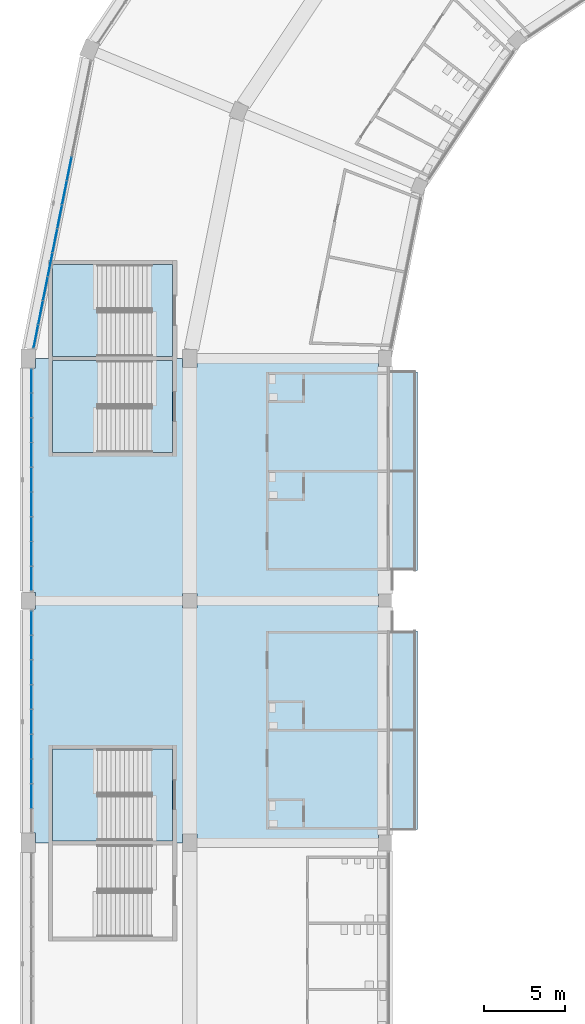
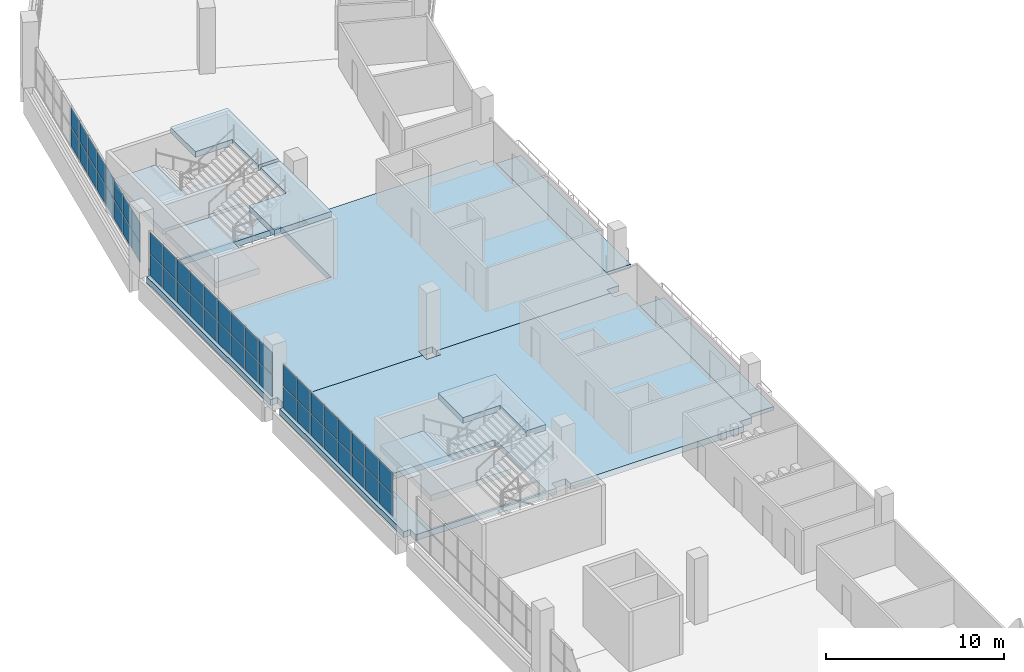
# One storey, part 66 of 199: 50 plates, 10 slabs, 6 elements without a shape of their own.
"""IFC4 building model written with IfcOpenShell, lengths in metres."""

from ifc_helpers import new_model, si_unit, direction, frame, origin, origin_2d, place, context, subcontext, project, spatial, polyline, rectangle, outline, extrude, material, layer, layer_set, type_object, element, aggregate, save


model = new_model("IFC4")

# Units and contexts
model_context = context("Model", 3, precision=1e-05, world=origin(), true_north=direction((0.0, 1.0)))
body_context = subcontext(model_context, "Body", "Model", "MODEL_VIEW")
ifc_project = project(units=[si_unit("LENGTHUNIT", "METRE"), si_unit("AREAUNIT", "SQUARE_METRE"), si_unit("VOLUMEUNIT", "CUBIC_METRE"), si_unit("PLANEANGLEUNIT", "RADIAN"), si_unit("MASSUNIT", "GRAM", prefix="KILO")], contexts=[model_context])

# Site, building, storey
site_placement = place(None, origin())
site = spatial("IfcSite", under=ifc_project, at=site_placement, CompositionType="ELEMENT")
building_placement = place(site_placement, origin())
building = spatial("IfcBuilding", under=site, at=building_placement, Name="Ogive Plaza Stadium", CompositionType="ELEMENT")
storey_placement = place(building_placement, frame((0.0, 0.0, 9.0)))
storey = spatial("IfcBuildingStorey", under=building, at=storey_placement, Name="L02", CompositionType="ELEMENT", Elevation=9.0)

# Slabs
ifc_material_1 = material(Name="Concrete C40/50", Category="concrete")
ifc_layer_1 = layer(ifc_material_1, 0.25)
ifc_layer_set_1 = layer_set([ifc_layer_1], Name="Concrete C40/50")
slab_type_1 = type_object("IfcSlabType", Name="Balcony slab 250", PredefinedType="FLOOR", material=ifc_layer_set_1)
slab_1_placement = place(storey_placement, frame((0.0, 0.0, -0.25)))
element("IfcSlab", 1, at=slab_1_placement, inside=storey, type_object=slab_type_1, Name="Suite terrace slab B26", PredefinedType="FLOOR", context=body_context, shape_type="SweptSolid", body=[
    extrude(outline(polyline([(-59.89990234375, 35.625), (-61.5, 35.625), (-61.5, 23.324951171875), (-59.89990234375, 23.324951171875), (-59.89990234375, 35.625)])), origin(), (0.0, 0.0, 1.0), 0.25),
])
slab_2_placement = place(storey_placement, frame((0.0, 0.0, -0.25)))
element("IfcSlab", 2, at=slab_2_placement, inside=storey, type_object=slab_type_1, Name="Suite terrace slab B27", PredefinedType="FLOOR", context=body_context, shape_type="SweptSolid", body=[
    extrude(outline(polyline([(-59.89990234375, 51.675048828125), (-61.5, 51.675048828125), (-61.5, 39.375), (-59.89990234375, 39.375), (-59.89990234375, 51.675048828125)])), origin(), (0.0, 0.0, 1.0), 0.25),
])

# Curtain wall, plates
ifc_material_2 = material(Name="Bronze-anodised aluminium with laminated glass", Category="aluminium")
curtain_wall_type = type_object("IfcCurtainWallType", Name="Lancet curtain wall", PredefinedType="NOTDEFINED", material=ifc_material_2)
curtain_wall_1_placement = place(storey_placement, origin())
curtain_wall_1 = element("IfcCurtainWall", 3, at=curtain_wall_1_placement, inside=storey, type_object=curtain_wall_type, Name="CURTAIN WALL B26 L02", PredefinedType="NOTDEFINED")
ifc_material_3 = material(Name="Laminated glass", Category="glass")
ifc_layer_2 = layer(ifc_material_3, 0.028076171875)
ifc_layer_set_2 = layer_set([ifc_layer_2], Name="Laminated glass panel 28")
plate_type = type_object("IfcPlateType", Name="Laminated glass panel 28", PredefinedType="CURTAIN_PANEL", material=ifc_layer_set_2)
plate_1_placement = place(storey_placement, frame((-83.800048828125, 25.39990234375, 0.0498046875), z_axis=(0.0, 0.0, 1.0), x_axis=(0.0, 1.0, 0.0)))
plate_1 = element("IfcPlate", 4, at=plate_1_placement, type_object=plate_type, Name="CW-B26-L02 panel 2.1", PredefinedType="CURTAIN_PANEL", context=body_context, shape_type="SweptSolid", body=[
    extrude(rectangle(XDim=1.4833984375, YDim=0.028076171875, at=origin_2d()), origin(), (0.0, 0.0, 1.0), 1.469970703125),
])
plate_2_placement = place(storey_placement, frame((-83.800048828125, 25.39990234375, 1.56982421875), z_axis=(0.0, 0.0, 1.0), x_axis=(0.0, 1.0, 0.0)))
plate_2 = element("IfcPlate", 5, at=plate_2_placement, type_object=plate_type, Name="CW-B26-L02 panel 2.2", PredefinedType="CURTAIN_PANEL", context=body_context, shape_type="SweptSolid", body=[
    extrude(rectangle(XDim=1.4833984375, YDim=0.028076171875, at=origin_2d()), origin(), (0.0, 0.0, 1.0), 1.469970703125),
])
plate_3_placement = place(storey_placement, frame((-83.800048828125, 26.933349609375, 0.0498046875), z_axis=(0.0, 0.0, 1.0), x_axis=(0.0, 1.0, 0.0)))
plate_3 = element("IfcPlate", 6, at=plate_3_placement, type_object=plate_type, Name="CW-B26-L02 panel 3.1", PredefinedType="CURTAIN_PANEL", context=body_context, shape_type="SweptSolid", body=[
    extrude(rectangle(XDim=1.4833984375, YDim=0.028076171875, at=origin_2d()), origin(), (0.0, 0.0, 1.0), 1.469970703125),
])
plate_4_placement = place(storey_placement, frame((-83.800048828125, 26.933349609375, 1.56982421875), z_axis=(0.0, 0.0, 1.0), x_axis=(0.0, 1.0, 0.0)))
plate_4 = element("IfcPlate", 7, at=plate_4_placement, type_object=plate_type, Name="CW-B26-L02 panel 3.2", PredefinedType="CURTAIN_PANEL", context=body_context, shape_type="SweptSolid", body=[
    extrude(rectangle(XDim=1.4833984375, YDim=0.028076171875, at=origin_2d()), origin(), (0.0, 0.0, 1.0), 1.469970703125),
])
plate_5_placement = place(storey_placement, frame((-83.800048828125, 28.466552734375, 0.0498046875), z_axis=(0.0, 0.0, 1.0), x_axis=(0.0, 1.0, 0.0)))
plate_5 = element("IfcPlate", 8, at=plate_5_placement, type_object=plate_type, Name="CW-B26-L02 panel 4.1", PredefinedType="CURTAIN_PANEL", context=body_context, shape_type="SweptSolid", body=[
    extrude(rectangle(XDim=1.4833984375, YDim=0.028076171875, at=origin_2d()), origin(), (0.0, 0.0, 1.0), 1.469970703125),
])
plate_6_placement = place(storey_placement, frame((-83.800048828125, 28.466552734375, 1.56982421875), z_axis=(0.0, 0.0, 1.0), x_axis=(0.0, 1.0, 0.0)))
plate_6 = element("IfcPlate", 9, at=plate_6_placement, type_object=plate_type, Name="CW-B26-L02 panel 4.2", PredefinedType="CURTAIN_PANEL", context=body_context, shape_type="SweptSolid", body=[
    extrude(rectangle(XDim=1.4833984375, YDim=0.028076171875, at=origin_2d()), origin(), (0.0, 0.0, 1.0), 1.469970703125),
])
plate_7_placement = place(storey_placement, frame((-83.800048828125, 30.0, 0.0498046875), z_axis=(0.0, 0.0, 1.0), x_axis=(0.0, 1.0, 0.0)))
plate_7 = element("IfcPlate", 10, at=plate_7_placement, type_object=plate_type, Name="CW-B26-L02 panel 5.1", PredefinedType="CURTAIN_PANEL", context=body_context, shape_type="SweptSolid", body=[
    extrude(rectangle(XDim=1.4833984375, YDim=0.028076171875, at=origin_2d()), origin(), (0.0, 0.0, 1.0), 1.469970703125),
])
plate_8_placement = place(storey_placement, frame((-83.800048828125, 30.0, 1.56982421875), z_axis=(0.0, 0.0, 1.0), x_axis=(0.0, 1.0, 0.0)))
plate_8 = element("IfcPlate", 11, at=plate_8_placement, type_object=plate_type, Name="CW-B26-L02 panel 5.2", PredefinedType="CURTAIN_PANEL", context=body_context, shape_type="SweptSolid", body=[
    extrude(rectangle(XDim=1.4833984375, YDim=0.028076171875, at=origin_2d()), origin(), (0.0, 0.0, 1.0), 1.469970703125),
])
plate_9_placement = place(storey_placement, frame((-83.800048828125, 31.533447265625, 0.0498046875), z_axis=(0.0, 0.0, 1.0), x_axis=(0.0, 1.0, 0.0)))
plate_9 = element("IfcPlate", 12, at=plate_9_placement, type_object=plate_type, Name="CW-B26-L02 panel 6.1", PredefinedType="CURTAIN_PANEL", context=body_context, shape_type="SweptSolid", body=[
    extrude(rectangle(XDim=1.4833984375, YDim=0.028076171875, at=origin_2d()), origin(), (0.0, 0.0, 1.0), 1.469970703125),
])
plate_10_placement = place(storey_placement, frame((-83.800048828125, 31.533447265625, 1.56982421875), z_axis=(0.0, 0.0, 1.0), x_axis=(0.0, 1.0, 0.0)))
plate_10 = element("IfcPlate", 13, at=plate_10_placement, type_object=plate_type, Name="CW-B26-L02 panel 6.2", PredefinedType="CURTAIN_PANEL", context=body_context, shape_type="SweptSolid", body=[
    extrude(rectangle(XDim=1.4833984375, YDim=0.028076171875, at=origin_2d()), origin(), (0.0, 0.0, 1.0), 1.469970703125),
])
plate_11_placement = place(storey_placement, frame((-83.800048828125, 33.066650390625, 0.0498046875), z_axis=(0.0, 0.0, 1.0), x_axis=(0.0, 1.0, 0.0)))
plate_11 = element("IfcPlate", 14, at=plate_11_placement, type_object=plate_type, Name="CW-B26-L02 panel 7.1", PredefinedType="CURTAIN_PANEL", context=body_context, shape_type="SweptSolid", body=[
    extrude(rectangle(XDim=1.4833984375, YDim=0.028076171875, at=origin_2d()), origin(), (0.0, 0.0, 1.0), 1.469970703125),
])
plate_12_placement = place(storey_placement, frame((-83.800048828125, 33.066650390625, 1.56982421875), z_axis=(0.0, 0.0, 1.0), x_axis=(0.0, 1.0, 0.0)))
plate_12 = element("IfcPlate", 15, at=plate_12_placement, type_object=plate_type, Name="CW-B26-L02 panel 7.2", PredefinedType="CURTAIN_PANEL", context=body_context, shape_type="SweptSolid", body=[
    extrude(rectangle(XDim=1.4833984375, YDim=0.028076171875, at=origin_2d()), origin(), (0.0, 0.0, 1.0), 1.469970703125),
])
plate_13_placement = place(storey_placement, frame((-83.800048828125, 34.60009765625, 0.0498046875), z_axis=(0.0, 0.0, 1.0), x_axis=(0.0, 1.0, 0.0)))
plate_13 = element("IfcPlate", 16, at=plate_13_placement, type_object=plate_type, Name="CW-B26-L02 panel 8.1", PredefinedType="CURTAIN_PANEL", context=body_context, shape_type="SweptSolid", body=[
    extrude(rectangle(XDim=1.4833984375, YDim=0.028076171875, at=origin_2d()), origin(), (0.0, 0.0, 1.0), 1.469970703125),
])
plate_14_placement = place(storey_placement, frame((-83.800048828125, 34.60009765625, 1.56982421875), z_axis=(0.0, 0.0, 1.0), x_axis=(0.0, 1.0, 0.0)))
plate_14 = element("IfcPlate", 17, at=plate_14_placement, type_object=plate_type, Name="CW-B26-L02 panel 8.2", PredefinedType="CURTAIN_PANEL", context=body_context, shape_type="SweptSolid", body=[
    extrude(rectangle(XDim=1.4833984375, YDim=0.028076171875, at=origin_2d()), origin(), (0.0, 0.0, 1.0), 1.469970703125),
])
plate_15_placement = place(storey_placement, frame((-83.800048828125, 36.120849609375, 0.0498046875), z_axis=(0.0, 0.0, 1.0), x_axis=(0.0, 1.0, 0.0)))
plate_15 = element("IfcPlate", 18, at=plate_15_placement, type_object=plate_type, Name="CW-B26-L02 panel 9.1", PredefinedType="CURTAIN_PANEL", context=body_context, shape_type="SweptSolid", body=[
    extrude(rectangle(XDim=1.458251953125, YDim=0.028076171875, at=origin_2d()), origin(), (0.0, 0.0, 1.0), 1.469970703125),
])
plate_16_placement = place(storey_placement, frame((-83.800048828125, 36.120849609375, 1.56982421875), z_axis=(0.0, 0.0, 1.0), x_axis=(0.0, 1.0, 0.0)))
plate_16 = element("IfcPlate", 19, at=plate_16_placement, type_object=plate_type, Name="CW-B26-L02 panel 9.2", PredefinedType="CURTAIN_PANEL", context=body_context, shape_type="SweptSolid", body=[
    extrude(rectangle(XDim=1.458251953125, YDim=0.028076171875, at=origin_2d()), origin(), (0.0, 0.0, 1.0), 1.469970703125),
])
aggregate(curtain_wall_1, [plate_1, plate_2, plate_3, plate_4, plate_5, plate_6, plate_7, plate_8, plate_9, plate_10, plate_11, plate_12, plate_13, plate_14, plate_15, plate_16])

curtain_wall_2_placement = place(storey_placement, origin())
curtain_wall_2 = element("IfcCurtainWall", 20, at=curtain_wall_2_placement, inside=storey, type_object=curtain_wall_type, Name="CURTAIN WALL B27 L02", PredefinedType="NOTDEFINED")
plate_17_placement = place(storey_placement, frame((-83.800048828125, 38.879150390625, 0.0498046875), z_axis=(0.0, 0.0, 1.0), x_axis=(0.0, 1.0, 0.0)))
plate_17 = element("IfcPlate", 21, at=plate_17_placement, type_object=plate_type, Name="CW-B27-L02 panel 1.1", PredefinedType="CURTAIN_PANEL", context=body_context, shape_type="SweptSolid", body=[
    extrude(rectangle(XDim=1.458251953125, YDim=0.028076171875, at=origin_2d()), origin(), (0.0, 0.0, 1.0), 1.469970703125),
])
plate_18_placement = place(storey_placement, frame((-83.800048828125, 38.879150390625, 1.56982421875), z_axis=(0.0, 0.0, 1.0), x_axis=(0.0, 1.0, 0.0)))
plate_18 = element("IfcPlate", 22, at=plate_18_placement, type_object=plate_type, Name="CW-B27-L02 panel 1.2", PredefinedType="CURTAIN_PANEL", context=body_context, shape_type="SweptSolid", body=[
    extrude(rectangle(XDim=1.458251953125, YDim=0.028076171875, at=origin_2d()), origin(), (0.0, 0.0, 1.0), 1.469970703125),
])
plate_19_placement = place(storey_placement, frame((-83.800048828125, 40.39990234375, 0.0498046875), z_axis=(0.0, 0.0, 1.0), x_axis=(0.0, 1.0, 0.0)))
plate_19 = element("IfcPlate", 23, at=plate_19_placement, type_object=plate_type, Name="CW-B27-L02 panel 2.1", PredefinedType="CURTAIN_PANEL", context=body_context, shape_type="SweptSolid", body=[
    extrude(rectangle(XDim=1.4833984375, YDim=0.028076171875, at=origin_2d()), origin(), (0.0, 0.0, 1.0), 1.469970703125),
])
plate_20_placement = place(storey_placement, frame((-83.800048828125, 40.39990234375, 1.56982421875), z_axis=(0.0, 0.0, 1.0), x_axis=(0.0, 1.0, 0.0)))
plate_20 = element("IfcPlate", 24, at=plate_20_placement, type_object=plate_type, Name="CW-B27-L02 panel 2.2", PredefinedType="CURTAIN_PANEL", context=body_context, shape_type="SweptSolid", body=[
    extrude(rectangle(XDim=1.4833984375, YDim=0.028076171875, at=origin_2d()), origin(), (0.0, 0.0, 1.0), 1.469970703125),
])
plate_21_placement = place(storey_placement, frame((-83.800048828125, 41.933349609375, 0.0498046875), z_axis=(0.0, 0.0, 1.0), x_axis=(0.0, 1.0, 0.0)))
plate_21 = element("IfcPlate", 25, at=plate_21_placement, type_object=plate_type, Name="CW-B27-L02 panel 3.1", PredefinedType="CURTAIN_PANEL", context=body_context, shape_type="SweptSolid", body=[
    extrude(rectangle(XDim=1.4833984375, YDim=0.028076171875, at=origin_2d()), origin(), (0.0, 0.0, 1.0), 1.469970703125),
])
plate_22_placement = place(storey_placement, frame((-83.800048828125, 41.933349609375, 1.56982421875), z_axis=(0.0, 0.0, 1.0), x_axis=(0.0, 1.0, 0.0)))
plate_22 = element("IfcPlate", 26, at=plate_22_placement, type_object=plate_type, Name="CW-B27-L02 panel 3.2", PredefinedType="CURTAIN_PANEL", context=body_context, shape_type="SweptSolid", body=[
    extrude(rectangle(XDim=1.4833984375, YDim=0.028076171875, at=origin_2d()), origin(), (0.0, 0.0, 1.0), 1.469970703125),
])
plate_23_placement = place(storey_placement, frame((-83.800048828125, 43.466552734375, 0.0498046875), z_axis=(0.0, 0.0, 1.0), x_axis=(0.0, 1.0, 0.0)))
plate_23 = element("IfcPlate", 27, at=plate_23_placement, type_object=plate_type, Name="CW-B27-L02 panel 4.1", PredefinedType="CURTAIN_PANEL", context=body_context, shape_type="SweptSolid", body=[
    extrude(rectangle(XDim=1.4833984375, YDim=0.028076171875, at=origin_2d()), origin(), (0.0, 0.0, 1.0), 1.469970703125),
])
plate_24_placement = place(storey_placement, frame((-83.800048828125, 43.466552734375, 1.56982421875), z_axis=(0.0, 0.0, 1.0), x_axis=(0.0, 1.0, 0.0)))
plate_24 = element("IfcPlate", 28, at=plate_24_placement, type_object=plate_type, Name="CW-B27-L02 panel 4.2", PredefinedType="CURTAIN_PANEL", context=body_context, shape_type="SweptSolid", body=[
    extrude(rectangle(XDim=1.4833984375, YDim=0.028076171875, at=origin_2d()), origin(), (0.0, 0.0, 1.0), 1.469970703125),
])
plate_25_placement = place(storey_placement, frame((-83.800048828125, 45.0, 0.0498046875), z_axis=(0.0, 0.0, 1.0), x_axis=(0.0, 1.0, 0.0)))
plate_25 = element("IfcPlate", 29, at=plate_25_placement, type_object=plate_type, Name="CW-B27-L02 panel 5.1", PredefinedType="CURTAIN_PANEL", context=body_context, shape_type="SweptSolid", body=[
    extrude(rectangle(XDim=1.4833984375, YDim=0.028076171875, at=origin_2d()), origin(), (0.0, 0.0, 1.0), 1.469970703125),
])
plate_26_placement = place(storey_placement, frame((-83.800048828125, 45.0, 1.56982421875), z_axis=(0.0, 0.0, 1.0), x_axis=(0.0, 1.0, 0.0)))
plate_26 = element("IfcPlate", 30, at=plate_26_placement, type_object=plate_type, Name="CW-B27-L02 panel 5.2", PredefinedType="CURTAIN_PANEL", context=body_context, shape_type="SweptSolid", body=[
    extrude(rectangle(XDim=1.4833984375, YDim=0.028076171875, at=origin_2d()), origin(), (0.0, 0.0, 1.0), 1.469970703125),
])
plate_27_placement = place(storey_placement, frame((-83.800048828125, 46.533447265625, 0.0498046875), z_axis=(0.0, 0.0, 1.0), x_axis=(0.0, 1.0, 0.0)))
plate_27 = element("IfcPlate", 31, at=plate_27_placement, type_object=plate_type, Name="CW-B27-L02 panel 6.1", PredefinedType="CURTAIN_PANEL", context=body_context, shape_type="SweptSolid", body=[
    extrude(rectangle(XDim=1.4833984375, YDim=0.028076171875, at=origin_2d()), origin(), (0.0, 0.0, 1.0), 1.469970703125),
])
plate_28_placement = place(storey_placement, frame((-83.800048828125, 46.533447265625, 1.56982421875), z_axis=(0.0, 0.0, 1.0), x_axis=(0.0, 1.0, 0.0)))
plate_28 = element("IfcPlate", 32, at=plate_28_placement, type_object=plate_type, Name="CW-B27-L02 panel 6.2", PredefinedType="CURTAIN_PANEL", context=body_context, shape_type="SweptSolid", body=[
    extrude(rectangle(XDim=1.4833984375, YDim=0.028076171875, at=origin_2d()), origin(), (0.0, 0.0, 1.0), 1.469970703125),
])
plate_29_placement = place(storey_placement, frame((-83.800048828125, 48.066650390625, 0.0498046875), z_axis=(0.0, 0.0, 1.0), x_axis=(0.0, 1.0, 0.0)))
plate_29 = element("IfcPlate", 33, at=plate_29_placement, type_object=plate_type, Name="CW-B27-L02 panel 7.1", PredefinedType="CURTAIN_PANEL", context=body_context, shape_type="SweptSolid", body=[
    extrude(rectangle(XDim=1.4833984375, YDim=0.028076171875, at=origin_2d()), origin(), (0.0, 0.0, 1.0), 1.469970703125),
])
plate_30_placement = place(storey_placement, frame((-83.800048828125, 48.066650390625, 1.56982421875), z_axis=(0.0, 0.0, 1.0), x_axis=(0.0, 1.0, 0.0)))
plate_30 = element("IfcPlate", 34, at=plate_30_placement, type_object=plate_type, Name="CW-B27-L02 panel 7.2", PredefinedType="CURTAIN_PANEL", context=body_context, shape_type="SweptSolid", body=[
    extrude(rectangle(XDim=1.4833984375, YDim=0.028076171875, at=origin_2d()), origin(), (0.0, 0.0, 1.0), 1.469970703125),
])
plate_31_placement = place(storey_placement, frame((-83.800048828125, 49.60009765625, 0.0498046875), z_axis=(0.0, 0.0, 1.0), x_axis=(0.0, 1.0, 0.0)))
plate_31 = element("IfcPlate", 35, at=plate_31_placement, type_object=plate_type, Name="CW-B27-L02 panel 8.1", PredefinedType="CURTAIN_PANEL", context=body_context, shape_type="SweptSolid", body=[
    extrude(rectangle(XDim=1.4833984375, YDim=0.028076171875, at=origin_2d()), origin(), (0.0, 0.0, 1.0), 1.469970703125),
])
plate_32_placement = place(storey_placement, frame((-83.800048828125, 49.60009765625, 1.56982421875), z_axis=(0.0, 0.0, 1.0), x_axis=(0.0, 1.0, 0.0)))
plate_32 = element("IfcPlate", 36, at=plate_32_placement, type_object=plate_type, Name="CW-B27-L02 panel 8.2", PredefinedType="CURTAIN_PANEL", context=body_context, shape_type="SweptSolid", body=[
    extrude(rectangle(XDim=1.4833984375, YDim=0.028076171875, at=origin_2d()), origin(), (0.0, 0.0, 1.0), 1.469970703125),
])
plate_33_placement = place(storey_placement, frame((-83.800048828125, 51.120849609375, 0.0498046875), z_axis=(0.0, 0.0, 1.0), x_axis=(0.0, 1.0, 0.0)))
plate_33 = element("IfcPlate", 37, at=plate_33_placement, type_object=plate_type, Name="CW-B27-L02 panel 9.1", PredefinedType="CURTAIN_PANEL", context=body_context, shape_type="SweptSolid", body=[
    extrude(rectangle(XDim=1.458251953125, YDim=0.028076171875, at=origin_2d()), origin(), (0.0, 0.0, 1.0), 1.469970703125),
])
plate_34_placement = place(storey_placement, frame((-83.800048828125, 51.120849609375, 1.56982421875), z_axis=(0.0, 0.0, 1.0), x_axis=(0.0, 1.0, 0.0)))
plate_34 = element("IfcPlate", 38, at=plate_34_placement, type_object=plate_type, Name="CW-B27-L02 panel 9.2", PredefinedType="CURTAIN_PANEL", context=body_context, shape_type="SweptSolid", body=[
    extrude(rectangle(XDim=1.458251953125, YDim=0.028076171875, at=origin_2d()), origin(), (0.0, 0.0, 1.0), 1.469970703125),
])
aggregate(curtain_wall_2, [plate_17, plate_18, plate_19, plate_20, plate_21, plate_22, plate_23, plate_24, plate_25, plate_26, plate_27, plate_28, plate_29, plate_30, plate_31, plate_32, plate_33, plate_34])

curtain_wall_3_placement = place(storey_placement, origin())
curtain_wall_3 = element("IfcCurtainWall", 39, at=curtain_wall_3_placement, inside=storey, type_object=curtain_wall_type, Name="CURTAIN WALL B28 L02", PredefinedType="NOTDEFINED")
plate_35_placement = place(storey_placement, frame((-83.522705078125, 53.874267578125, 0.0498046875), z_axis=(0.0, 0.0, 1.0), x_axis=(0.195090322016, 0.980785280403, 0.0)))
plate_35 = element("IfcPlate", 40, at=plate_35_placement, type_object=plate_type, Name="CW-B28-L02 panel 1.1", PredefinedType="CURTAIN_PANEL", context=body_context, shape_type="SweptSolid", body=[
    extrude(rectangle(XDim=1.43896484375, YDim=0.028076171875, at=origin_2d()), origin(), (0.0, 0.0, 1.0), 1.320068359375),
])
plate_36_placement = place(storey_placement, frame((-83.522705078125, 53.874267578125, 1.419921875), z_axis=(0.0, 0.0, 1.0), x_axis=(0.195090322016, 0.980785280403, 0.0)))
plate_36 = element("IfcPlate", 41, at=plate_36_placement, type_object=plate_type, Name="CW-B28-L02 panel 1.2", PredefinedType="CURTAIN_PANEL", context=body_context, shape_type="SweptSolid", body=[
    extrude(rectangle(XDim=1.43896484375, YDim=0.028076171875, at=origin_2d()), origin(), (0.0, 0.0, 1.0), 1.320068359375),
])
plate_37_placement = place(storey_placement, frame((-83.229736328125, 55.3466796875, 0.0498046875), z_axis=(0.0, 0.0, 1.0), x_axis=(0.195090322016, 0.980785280403, 0.0)))
plate_37 = element("IfcPlate", 42, at=plate_37_placement, type_object=plate_type, Name="CW-B28-L02 panel 2.1", PredefinedType="CURTAIN_PANEL", context=body_context, shape_type="SweptSolid", body=[
    extrude(rectangle(XDim=1.4638671875, YDim=0.028076171875, at=origin_2d()), origin(), (0.0, 0.0, 1.0), 1.320068359375),
])
plate_38_placement = place(storey_placement, frame((-83.229736328125, 55.3466796875, 1.419921875), z_axis=(0.0, 0.0, 1.0), x_axis=(0.195090322016, 0.980785280403, 0.0)))
plate_38 = element("IfcPlate", 43, at=plate_38_placement, type_object=plate_type, Name="CW-B28-L02 panel 2.2", PredefinedType="CURTAIN_PANEL", context=body_context, shape_type="SweptSolid", body=[
    extrude(rectangle(XDim=1.4638671875, YDim=0.028076171875, at=origin_2d()), origin(), (0.0, 0.0, 1.0), 1.320068359375),
])
plate_39_placement = place(storey_placement, frame((-82.9345703125, 56.831298828125, 0.0498046875), z_axis=(0.0, 0.0, 1.0), x_axis=(0.195090322016, 0.980785280403, 0.0)))
plate_39 = element("IfcPlate", 44, at=plate_39_placement, type_object=plate_type, Name="CW-B28-L02 panel 3.1", PredefinedType="CURTAIN_PANEL", context=body_context, shape_type="SweptSolid", body=[
    extrude(rectangle(XDim=1.4638671875, YDim=0.028076171875, at=origin_2d()), origin(), (0.0, 0.0, 1.0), 1.320068359375),
])
plate_40_placement = place(storey_placement, frame((-82.9345703125, 56.831298828125, 1.419921875), z_axis=(0.0, 0.0, 1.0), x_axis=(0.195090322016, 0.980785280403, 0.0)))
plate_40 = element("IfcPlate", 45, at=plate_40_placement, type_object=plate_type, Name="CW-B28-L02 panel 3.2", PredefinedType="CURTAIN_PANEL", context=body_context, shape_type="SweptSolid", body=[
    extrude(rectangle(XDim=1.4638671875, YDim=0.028076171875, at=origin_2d()), origin(), (0.0, 0.0, 1.0), 1.320068359375),
])
plate_41_placement = place(storey_placement, frame((-82.63916015625, 58.316162109375, 0.0498046875), z_axis=(0.0, 0.0, 1.0), x_axis=(0.195090322016, 0.980785280403, 0.0)))
plate_41 = element("IfcPlate", 46, at=plate_41_placement, type_object=plate_type, Name="CW-B28-L02 panel 4.1", PredefinedType="CURTAIN_PANEL", context=body_context, shape_type="SweptSolid", body=[
    extrude(rectangle(XDim=1.4638671875, YDim=0.028076171875, at=origin_2d()), origin(), (0.0, 0.0, 1.0), 1.320068359375),
])
plate_42_placement = place(storey_placement, frame((-82.63916015625, 58.316162109375, 1.419921875), z_axis=(0.0, 0.0, 1.0), x_axis=(0.195090322016, 0.980785280403, 0.0)))
plate_42 = element("IfcPlate", 47, at=plate_42_placement, type_object=plate_type, Name="CW-B28-L02 panel 4.2", PredefinedType="CURTAIN_PANEL", context=body_context, shape_type="SweptSolid", body=[
    extrude(rectangle(XDim=1.4638671875, YDim=0.028076171875, at=origin_2d()), origin(), (0.0, 0.0, 1.0), 1.320068359375),
])
plate_43_placement = place(storey_placement, frame((-82.34375, 59.801025390625, 0.0498046875), z_axis=(0.0, 0.0, 1.0), x_axis=(0.195090322016, 0.980785280403, 0.0)))
plate_43 = element("IfcPlate", 48, at=plate_43_placement, type_object=plate_type, Name="CW-B28-L02 panel 5.1", PredefinedType="CURTAIN_PANEL", context=body_context, shape_type="SweptSolid", body=[
    extrude(rectangle(XDim=1.4638671875, YDim=0.028076171875, at=origin_2d()), origin(), (0.0, 0.0, 1.0), 1.320068359375),
])
plate_44_placement = place(storey_placement, frame((-82.34375, 59.801025390625, 1.419921875), z_axis=(0.0, 0.0, 1.0), x_axis=(0.195090322016, 0.980785280403, 0.0)))
plate_44 = element("IfcPlate", 49, at=plate_44_placement, type_object=plate_type, Name="CW-B28-L02 panel 5.2", PredefinedType="CURTAIN_PANEL", context=body_context, shape_type="SweptSolid", body=[
    extrude(rectangle(XDim=1.4638671875, YDim=0.028076171875, at=origin_2d()), origin(), (0.0, 0.0, 1.0), 1.320068359375),
])
plate_45_placement = place(storey_placement, frame((-82.048583984375, 61.28564453125, 0.0498046875), z_axis=(0.0, 0.0, 1.0), x_axis=(0.195090322016, 0.980785280403, 0.0)))
plate_45 = element("IfcPlate", 50, at=plate_45_placement, type_object=plate_type, Name="CW-B28-L02 panel 6.1", PredefinedType="CURTAIN_PANEL", context=body_context, shape_type="SweptSolid", body=[
    extrude(rectangle(XDim=1.4638671875, YDim=0.028076171875, at=origin_2d()), origin(), (0.0, 0.0, 1.0), 1.320068359375),
])
plate_46_placement = place(storey_placement, frame((-82.048583984375, 61.28564453125, 1.419921875), z_axis=(0.0, 0.0, 1.0), x_axis=(0.195090322016, 0.980785280403, 0.0)))
plate_46 = element("IfcPlate", 51, at=plate_46_placement, type_object=plate_type, Name="CW-B28-L02 panel 6.2", PredefinedType="CURTAIN_PANEL", context=body_context, shape_type="SweptSolid", body=[
    extrude(rectangle(XDim=1.4638671875, YDim=0.028076171875, at=origin_2d()), origin(), (0.0, 0.0, 1.0), 1.320068359375),
])
plate_47_placement = place(storey_placement, frame((-81.753173828125, 62.7705078125, 0.0498046875), z_axis=(0.0, 0.0, 1.0), x_axis=(0.195090322016, 0.980785280403, 0.0)))
plate_47 = element("IfcPlate", 52, at=plate_47_placement, type_object=plate_type, Name="CW-B28-L02 panel 7.1", PredefinedType="CURTAIN_PANEL", context=body_context, shape_type="SweptSolid", body=[
    extrude(rectangle(XDim=1.4638671875, YDim=0.028076171875, at=origin_2d()), origin(), (0.0, 0.0, 1.0), 1.320068359375),
])
plate_48_placement = place(storey_placement, frame((-81.753173828125, 62.7705078125, 1.419921875), z_axis=(0.0, 0.0, 1.0), x_axis=(0.195090322016, 0.980785280403, 0.0)))
plate_48 = element("IfcPlate", 53, at=plate_48_placement, type_object=plate_type, Name="CW-B28-L02 panel 7.2", PredefinedType="CURTAIN_PANEL", context=body_context, shape_type="SweptSolid", body=[
    extrude(rectangle(XDim=1.4638671875, YDim=0.028076171875, at=origin_2d()), origin(), (0.0, 0.0, 1.0), 1.320068359375),
])
plate_49_placement = place(storey_placement, frame((-81.457763671875, 64.255126953125, 0.0498046875), z_axis=(0.0, 0.0, 1.0), x_axis=(0.195090322016, 0.980785280403, 0.0)))
plate_49 = element("IfcPlate", 54, at=plate_49_placement, type_object=plate_type, Name="CW-B28-L02 panel 8.1", PredefinedType="CURTAIN_PANEL", context=body_context, shape_type="SweptSolid", body=[
    extrude(rectangle(XDim=1.4638671875, YDim=0.028076171875, at=origin_2d()), origin(), (0.0, 0.0, 1.0), 1.320068359375),
])
plate_50_placement = place(storey_placement, frame((-81.457763671875, 64.255126953125, 1.419921875), z_axis=(0.0, 0.0, 1.0), x_axis=(0.195090322016, 0.980785280403, 0.0)))
plate_50 = element("IfcPlate", 55, at=plate_50_placement, type_object=plate_type, Name="CW-B28-L02 panel 8.2", PredefinedType="CURTAIN_PANEL", context=body_context, shape_type="SweptSolid", body=[
    extrude(rectangle(XDim=1.4638671875, YDim=0.028076171875, at=origin_2d()), origin(), (0.0, 0.0, 1.0), 1.320068359375),
])
aggregate(curtain_wall_3, [plate_35, plate_36, plate_37, plate_38, plate_39, plate_40, plate_41, plate_42, plate_43, plate_44, plate_45, plate_46, plate_47, plate_48, plate_49, plate_50])

# Slabs
ifc_material_4 = material(Name="Concrete C40/50", Category="concrete")
ifc_layer_3 = layer(ifc_material_4, 0.409912109375)
ifc_layer_set_3 = layer_set([ifc_layer_3], Name="Concrete C40/50")
slab_type_2 = type_object("IfcSlabType", Name="RC floor slab 410", PredefinedType="FLOOR", material=ifc_layer_set_3)
slab_3_placement = place(storey_placement, frame((0.0, 0.0, -0.409912109375)))
element("IfcSlab", 56, at=slab_3_placement, inside=storey, type_object=slab_type_2, Name="Floor slab L02 B26", PredefinedType="FLOOR", context=body_context, shape_type="SweptSolid", body=[
    extrude(outline(polyline([(-73.550048828125, 37.5), (-73.550048828125, 37.050048828125), (-74.449951171875, 37.050048828125), (-74.449951171875, 37.5), (-83.550048828125, 37.5), (-83.550048828125, 37.0), (-84.0, 37.0), (-84.0, 23.10009765625), (-83.550048828125, 23.10009765625), (-83.550048828125, 22.5), (-74.449951171875, 22.5), (-74.449951171875, 23.050048828125), (-73.550048828125, 23.050048828125), (-73.550048828125, 22.5), (-62.300048828125, 22.5), (-62.300048828125, 23.0), (-61.5, 23.0), (-61.5, 37.10009765625), (-62.300048828125, 37.10009765625), (-62.300048828125, 37.5), (-73.550048828125, 37.5)]), holes=[polyline([(-75.050048828125, 22.625), (-75.050048828125, 28.324951171875), (-82.510009765625, 28.324951171875), (-82.510009765625, 22.625), (-75.050048828125, 22.625)])]), origin(), (0.0, 0.0, 1.0), 0.409912109375),
])
slab_4_placement = place(storey_placement, frame((0.0, 0.0, -0.409912109375)))
element("IfcSlab", 57, at=slab_4_placement, inside=storey, type_object=slab_type_2, Name="Floor slab L02 B27", PredefinedType="FLOOR", context=body_context, shape_type="SweptSolid", body=[
    extrude(outline(polyline([(-73.550048828125, 52.5), (-73.550048828125, 51.949951171875), (-74.449951171875, 51.949951171875), (-74.449951171875, 52.5), (-83.550048828125, 52.5), (-83.550048828125, 51.89990234375), (-84.0, 51.89990234375), (-84.0, 38.0), (-83.550048828125, 38.0), (-83.550048828125, 37.5), (-74.449951171875, 37.5), (-74.449951171875, 37.949951171875), (-73.550048828125, 37.949951171875), (-73.550048828125, 37.5), (-62.300048828125, 37.5), (-62.300048828125, 37.89990234375), (-61.5, 37.89990234375), (-61.5, 52.0), (-62.300048828125, 52.0), (-62.300048828125, 52.5), (-73.550048828125, 52.5)]), holes=[polyline([(-75.050048828125, 46.675048828125), (-75.050048828125, 52.375), (-82.510009765625, 52.375), (-82.510009765625, 46.675048828125), (-75.050048828125, 46.675048828125)])]), origin(), (0.0, 0.0, 1.0), 0.409912109375),
])

# Stair, slabs
ifc_material_5 = material(Name="Concrete C40/50", Category="concrete")
stair_type = type_object("IfcStairType", Name="Exit stair", PredefinedType="STRAIGHT_RUN_STAIR", material=ifc_material_5)
stair_1_placement = place(storey_placement, origin())
stair_1 = element("IfcStair", 58, at=stair_1_placement, inside=storey, type_object=stair_type, Name="Exit stair ST26A L02 to L03", PredefinedType="STRAIGHT_RUN_STAIR")
ifc_material_6 = material(Name="Concrete C40/50", Category="concrete")
ifc_layer_4 = layer(ifc_material_6, 0.39990234375)
ifc_layer_set_4 = layer_set([ifc_layer_4], Name="Concrete C40/50")
slab_type_3 = type_object("IfcSlabType", Name="Stair landing", PredefinedType="LANDING", material=ifc_layer_set_4)
slab_5_placement = place(storey_placement, frame((0.0, 0.0, 1.85009765625)))
slab_5 = element("IfcSlab", 59, at=slab_5_placement, type_object=slab_type_3, Name="ST26A landing 1", PredefinedType="LANDING", context=body_context, shape_type="SweptSolid", body=[
    extrude(outline(polyline([(-82.510009765625, 22.625), (-82.510009765625, 28.324951171875), (-79.7099609375, 28.324951171875), (-79.7099609375, 25.425048828125), (-77.31005859375, 25.425048828125), (-77.31005859375, 22.625), (-79.7099609375, 22.625), (-82.510009765625, 22.625)])), origin(), (0.0, 0.0, 1.0), 0.39990234375),
])
slab_6_placement = place(storey_placement, frame((0.0, 0.0, 4.10009765625)))
slab_6 = element("IfcSlab", 60, at=slab_6_placement, type_object=slab_type_3, Name="ST26A landing 2", PredefinedType="LANDING", context=body_context, shape_type="SweptSolid", body=[
    extrude(outline(polyline([(-78.75, 25.52490234375), (-78.75, 28.324951171875), (-76.35009765625, 28.324951171875), (-75.050048828125, 28.324951171875), (-75.050048828125, 22.625), (-76.35009765625, 22.625), (-76.35009765625, 25.52490234375), (-78.75, 25.52490234375)])), origin(), (0.0, 0.0, 1.0), 0.39990234375),
])
aggregate(stair_1, [slab_5, slab_6])

stair_2_placement = place(storey_placement, origin())
stair_2 = element("IfcStair", 61, at=stair_2_placement, inside=storey, type_object=stair_type, Name="Exit stair ST28A L02 to L03", PredefinedType="STRAIGHT_RUN_STAIR")
slab_7_placement = place(storey_placement, frame((0.0, 0.0, 1.85009765625)))
slab_7 = element("IfcSlab", 62, at=slab_7_placement, type_object=slab_type_3, Name="ST28A landing 1", PredefinedType="LANDING", context=body_context, shape_type="SweptSolid", body=[
    extrude(outline(polyline([(-82.510009765625, 52.625), (-82.510009765625, 58.324951171875), (-79.7099609375, 58.324951171875), (-79.7099609375, 55.425048828125), (-77.31005859375, 55.425048828125), (-77.31005859375, 52.625), (-79.7099609375, 52.625), (-82.510009765625, 52.625)])), origin(), (0.0, 0.0, 1.0), 0.39990234375),
])
slab_8_placement = place(storey_placement, frame((0.0, 0.0, 4.10009765625)))
slab_8 = element("IfcSlab", 63, at=slab_8_placement, type_object=slab_type_3, Name="ST28A landing 2", PredefinedType="LANDING", context=body_context, shape_type="SweptSolid", body=[
    extrude(outline(polyline([(-78.75, 55.52490234375), (-78.75, 58.324951171875), (-76.35009765625, 58.324951171875), (-75.050048828125, 58.324951171875), (-75.050048828125, 52.625), (-76.35009765625, 52.625), (-76.35009765625, 55.52490234375), (-78.75, 55.52490234375)])), origin(), (0.0, 0.0, 1.0), 0.39990234375),
])
aggregate(stair_2, [slab_7, slab_8])

stair_3_placement = place(storey_placement, origin())
stair_3 = element("IfcStair", 64, at=stair_3_placement, inside=storey, type_object=stair_type, Name="Exit stair ST28B L02 to L03", PredefinedType="STRAIGHT_RUN_STAIR")
slab_9_placement = place(storey_placement, frame((0.0, 0.0, 1.85009765625)))
slab_9 = element("IfcSlab", 65, at=slab_9_placement, type_object=slab_type_3, Name="ST28B landing 1", PredefinedType="LANDING", context=body_context, shape_type="SweptSolid", body=[
    extrude(outline(polyline([(-77.31005859375, 52.375), (-77.31005859375, 49.574951171875), (-79.7099609375, 49.574951171875), (-79.7099609375, 46.675048828125), (-82.510009765625, 46.675048828125), (-82.510009765625, 52.375), (-79.7099609375, 52.375), (-77.31005859375, 52.375)])), origin(), (0.0, 0.0, 1.0), 0.39990234375),
])
slab_10_placement = place(storey_placement, frame((0.0, 0.0, 4.10009765625)))
slab_10 = element("IfcSlab", 66, at=slab_10_placement, type_object=slab_type_3, Name="ST28B landing 2", PredefinedType="LANDING", context=body_context, shape_type="SweptSolid", body=[
    extrude(outline(polyline([(-76.35009765625, 52.375), (-75.050048828125, 52.375), (-75.050048828125, 46.675048828125), (-76.35009765625, 46.675048828125), (-78.75, 46.675048828125), (-78.75, 49.47509765625), (-76.35009765625, 49.47509765625), (-76.35009765625, 52.375)])), origin(), (0.0, 0.0, 1.0), 0.39990234375),
])
aggregate(stair_3, [slab_9, slab_10])

save(model, "model.ifc")
